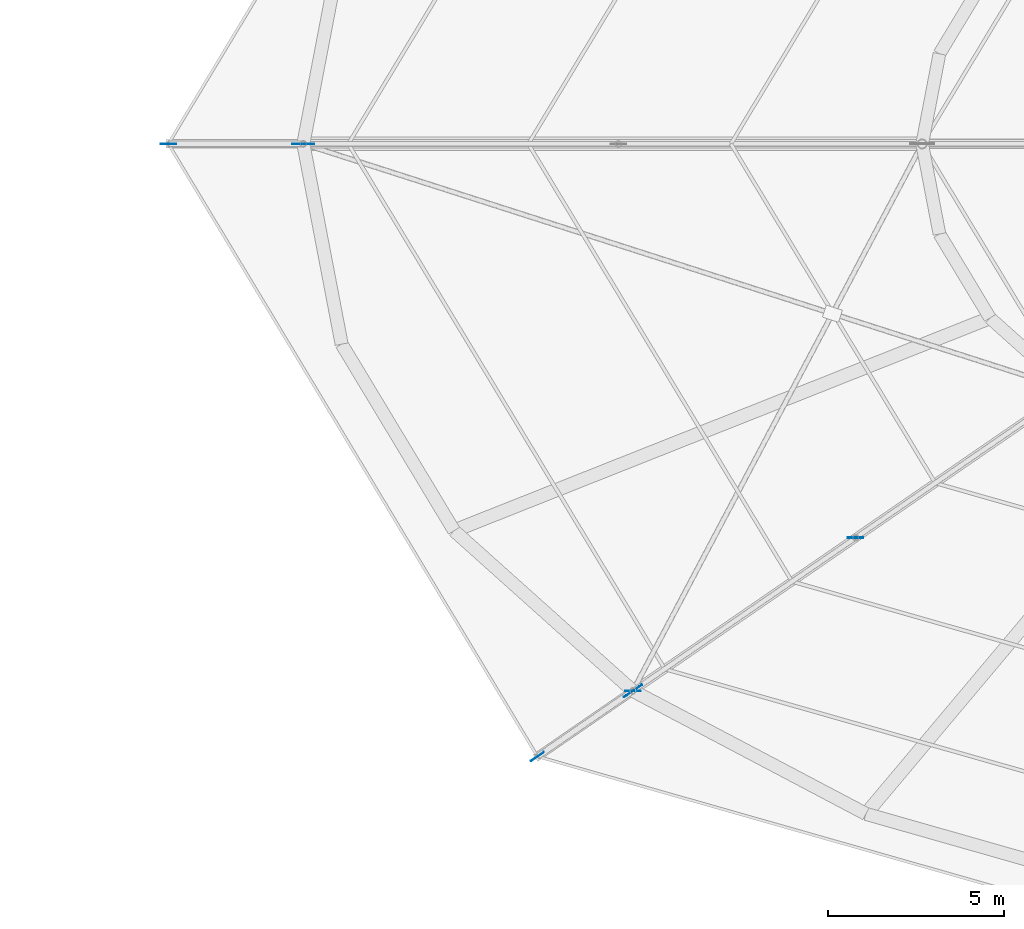
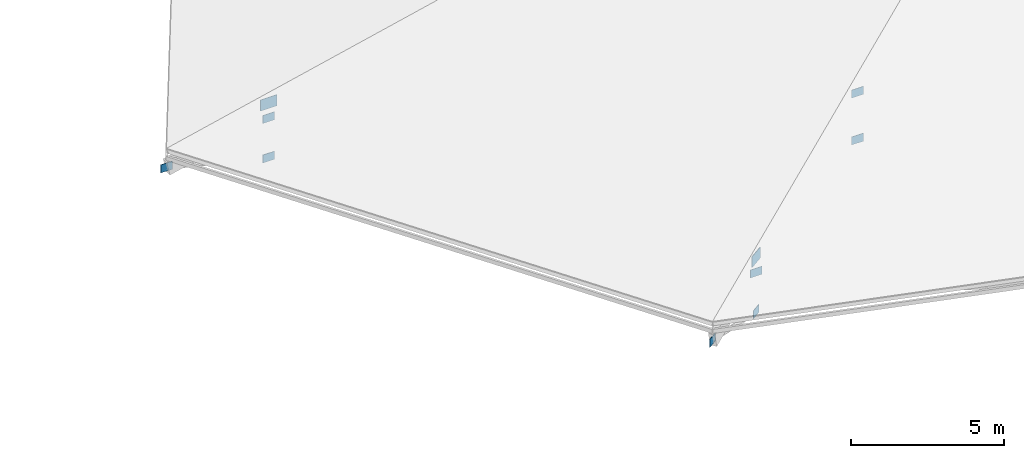
# One storey, part 47 of 66: 10 plates.
"""IFC4 building model written with IfcOpenShell, lengths in metres."""

from ifc_helpers import new_model, si_unit, direction, frame, origin, origin_2d, place, context, subcontext, project, spatial, rectangle, extrude, material, layer, layer_set, type_object, element, save


model = new_model("IFC4")

# Units and contexts
model_context = context("Model", 3, precision=1e-05, world=origin(), true_north=direction((0.0, 1.0)))
body_context = subcontext(model_context, "Body", "Model", "MODEL_VIEW")
ifc_project = project(units=[si_unit("LENGTHUNIT", "METRE"), si_unit("AREAUNIT", "SQUARE_METRE"), si_unit("VOLUMEUNIT", "CUBIC_METRE"), si_unit("PLANEANGLEUNIT", "RADIAN"), si_unit("MASSUNIT", "GRAM", prefix="KILO")], contexts=[model_context])

# Site, building, storey
site_placement = place(None, origin())
site = spatial("IfcSite", under=ifc_project, at=site_placement, CompositionType="ELEMENT")
building_placement = place(site_placement, origin())
building = spatial("IfcBuilding", under=site, at=building_placement, Name="Zornivar Specialist Clinic", CompositionType="ELEMENT")
storey_placement = place(building_placement, frame((0.0, 0.0, 16.0)))
storey = spatial("IfcBuildingStorey", under=building, at=storey_placement, Name="L04", CompositionType="ELEMENT", Elevation=16.0)

# Plates
ifc_material_1 = material(Name="Steel S355J2", Category="steel")
ifc_layer_1 = layer(ifc_material_1, 0.02197265625)
ifc_layer_set_1 = layer_set([ifc_layer_1], Name="Steel S355J2")
plate_type_1 = type_object("IfcPlateType", Name="PL-GUSSET-HEEL-22", PredefinedType="USERDEFINED", material=ifc_layer_set_1)
for number, where, z_axis, x_axis, name in (
    (1, (61.60009765625, 57.60009765625, 0.2900390625), (0.0, 0.0, 1.0), (-1.0, 0.0, 0.0), "plate:V1:L04:heel:4"),
    (2, (70.972900390625, 42.0439453125, 0.2900390625), (0.0, 0.0, 1.0), (-0.824042986806, -0.566527277274, 0.0), "plate:V1:L04:heel:5"),
):
    element("IfcPlate", number, at=place(storey_placement, frame(where, z_axis=z_axis, x_axis=x_axis)), inside=storey, type_object=plate_type_1, Name=name, ObjectType="GUSSET PLATE", PredefinedType="USERDEFINED", context=body_context, shape_type="SweptSolid", body=[
        extrude(rectangle(XDim=0.6201171875, YDim=0.02197265625, at=origin_2d()), origin(), (0.0, 0.0, 1.0), 0.43994140625),
    ])
ifc_material_2 = material(Name="Steel S355J2", Category="steel")
ifc_layer_2 = layer(ifc_material_2, 0.01806640625)
ifc_layer_set_2 = layer_set([ifc_layer_2], Name="Steel S355J2")
plate_type_2 = type_object("IfcPlateType", Name="PL-GUSSET-V4-18", PredefinedType="USERDEFINED", material=ifc_layer_set_2)
for number, where, z_axis, x_axis, name in (
    (3, (61.60009765625, 57.60009765625, -0.240234375), (0.0, 0.0, 1.0), (1.0, 0.0, 0.0), "plate:bnode:L04:038"),
    (4, (61.60009765625, 57.60009765625, -1.81005859375), (0.0, 0.0, 1.0), (1.0, 0.0, 0.0), "plate:bnode:L04:039"),
    (5, (57.760009765625, 57.60009765625, -0.86083984375), (0.0, 0.0, 1.0), (1.0, 0.0, 0.0), "plate:bnode:L04:040"),
    (6, (70.972900390625, 42.0439453125, -0.240234375), (0.0, 0.0, 1.0), (1.0, 0.0, 0.0), "plate:bnode:L04:041"),
    (7, (70.972900390625, 42.0439453125, -1.81005859375), (0.0, 0.0, 1.0), (0.824027319533, 0.566550065452, 0.0), "plate:bnode:L04:042"),
    (8, (68.258056640625, 40.177001953125, -0.86083984375), (0.0, 0.0, 1.0), (0.824027319533, 0.566550065452, 0.0), "plate:bnode:L04:043"),
    (9, (77.30908203125, 46.39990234375, 0.2001953125), (0.0, 0.0, 1.0), (1.0, 0.0, 0.0), "plate:bnode:L04:076"),
    (10, (77.30908203125, 46.39990234375, 2.06689453125), (0.0, 0.0, 1.0), (1.0, 0.0, 0.0), "plate:bnode:L04:077"),
):
    element("IfcPlate", number, at=place(storey_placement, frame(where, z_axis=z_axis, x_axis=x_axis)), inside=storey, type_object=plate_type_2, Name=name, ObjectType="GUSSET PLATE", PredefinedType="USERDEFINED", context=body_context, shape_type="SweptSolid", body=[
        extrude(rectangle(XDim=0.43994140625, YDim=0.01806640625, at=origin_2d()), origin(), (0.0, 0.0, 1.0), 0.320068359375),
    ])

save(model, "model.ifc")
